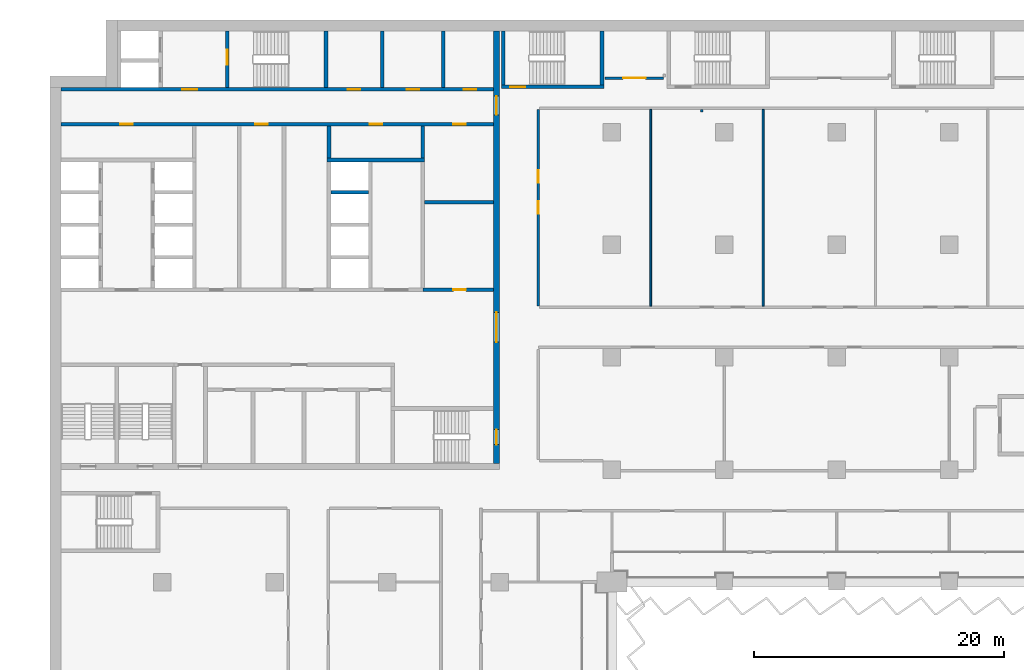
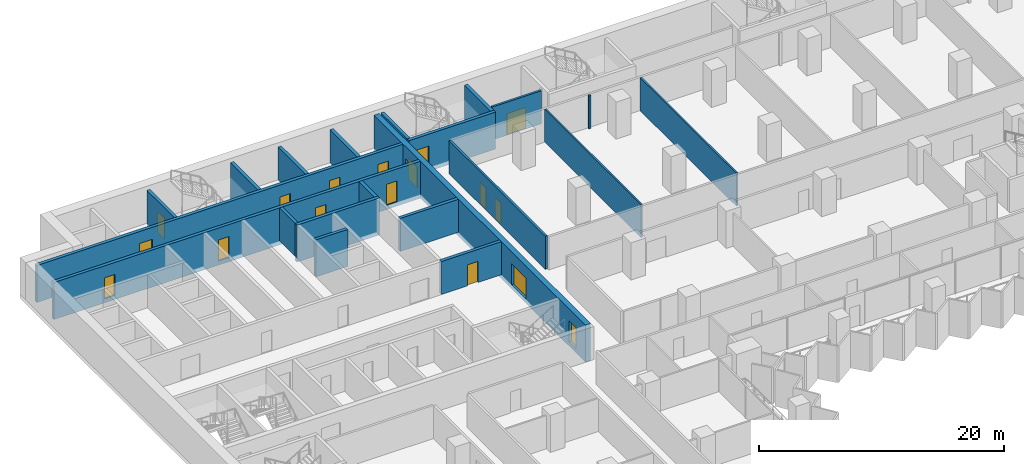
# One storey, part 15 of 29: 21 walls, 17 doors, 17 openings.
"""IFC4 building model written with IfcOpenShell, lengths in metres."""

from ifc_helpers import new_model, si_unit, direction, frame, frame_2d, origin, place, context, subcontext, project, spatial, rectangle, extrude, material, layer, layer_set, type_object, element, fill, save


model = new_model("IFC4")

# Units and contexts
model_context = context("Model", 3, precision=1e-05, world=origin(), true_north=direction((0.0, 1.0)))
body_context = subcontext(model_context, "Body", "Model", "MODEL_VIEW")
ifc_project = project(units=[si_unit("LENGTHUNIT", "METRE"), si_unit("AREAUNIT", "SQUARE_METRE"), si_unit("VOLUMEUNIT", "CUBIC_METRE"), si_unit("PLANEANGLEUNIT", "RADIAN"), si_unit("MASSUNIT", "GRAM", prefix="KILO")], contexts=[model_context])

# Site, building, storey
site_placement = place(None, origin())
site = spatial("IfcSite", under=ifc_project, at=site_placement, CompositionType="ELEMENT")
building_placement = place(site_placement, origin())
building = spatial("IfcBuilding", under=site, at=building_placement, Name="Hunhe Ridgeline Campus", CompositionType="ELEMENT")
storey_placement = place(building_placement, frame((0.0, 0.0, 54.300048828125)))
storey = spatial("IfcBuildingStorey", under=building, at=storey_placement, Name="L12", CompositionType="ELEMENT", Elevation=54.300048828125)

# Wall, opening, door
ifc_material_1 = material(Name="Masonry concrete blockwork", Category="masonry")
ifc_layer_1 = layer(ifc_material_1, 0.300048828125)
ifc_layer_set_1 = layer_set([ifc_layer_1], Name="Core room partition 300 concrete block")
wall_type_1 = type_object("IfcWallType", Name="Core room partition 300 concrete block", PredefinedType="PARTITIONING", material=ifc_layer_set_1)
wall_1_placement = place(storey_placement, frame((29.85009765625, 77.39990234375, 0.0), z_axis=(0.0, 0.0, 1.0), x_axis=(1.0, 0.0, 0.0)))
wall_1 = element("IfcWall", 1, at=wall_1_placement, inside=storey, type_object=wall_type_1, Name="L12 core partition 15", PredefinedType="PARTITIONING", context=body_context, shape_type="SweptSolid", body=[
    extrude(rectangle(XDim=5.64990234375, YDim=0.300048828125, at=frame_2d((2.824951171875, 0.0))), origin(), (0.0, 0.0, 1.0), 3.300048828125),
])
opening_1_placement = place(wall_1_placement, frame((2.449951171875, 0.0, 0.0)))
opening_1 = element("IfcOpeningElement", 2, at=opening_1_placement, cuts=wall_1, Name="Opening CD32", PredefinedType="OPENING", context=body_context, shape_type="SweptSolid", body=[
    extrude(rectangle(XDim=1.0, YDim=2.10009765625, at=frame_2d((0.5, 1.050048828125))), frame((0.0, 0.14990234375, 0.0), z_axis=(0.0, -1.0, 0.0), x_axis=(1.0, 0.0, 0.0)), (0.0, 0.0, 1.0), 0.300048828125),
])
ifc_material_2 = material(Name="Solid core timber door leaf", Category="wood")
door_type_1 = type_object("IfcDoorType", Name="Timber door 1000x2100", OperationType="SINGLE_SWING_LEFT", PredefinedType="DOOR", material=ifc_material_2)
door_1_placement = place(opening_1_placement, origin())
door_1 = element("IfcDoor", 3, at=door_1_placement, inside=storey, type_object=door_type_1, Name="L12 door ES0", OperationType="SINGLE_SWING_LEFT", OverallHeight=2.10009765625, OverallWidth=1.0, PredefinedType="DOOR", context=body_context, shape_type="SweptSolid", body=[
    extrude(rectangle(XDim=1.0, YDim=2.10009765625, at=frame_2d((0.5, 1.050048828125))), frame((0.0, 0.02490234375, 0.0), z_axis=(0.0, -1.0, 0.0), x_axis=(1.0, 0.0, 0.0)), (0.0, 0.0, 1.0), 0.050048828125),
])
fill(opening_1, door_1)

# Walls
wall_2_placement = place(storey_placement, frame((30.0, 84.39990234375, 0.0), z_axis=(0.0, 0.0, 1.0), x_axis=(1.0, 0.0, 0.0)))
element("IfcWall", 4, at=wall_2_placement, inside=storey, type_object=wall_type_1, Name="L12 core partition 22", PredefinedType="PARTITIONING", context=body_context, shape_type="SweptSolid", body=[
    extrude(rectangle(XDim=5.5, YDim=0.300048828125, at=frame_2d((2.75, 0.0))), origin(), (0.0, 0.0, 1.0), 3.300048828125),
])
wall_3_placement = place(storey_placement, frame((22.35009765625, 87.949951171875, 0.0), z_axis=(0.0, 0.0, 1.0), x_axis=(0.0, 1.0, 0.0)))
element("IfcWall", 5, at=wall_3_placement, inside=storey, type_object=wall_type_1, Name="L12 core partition 54", PredefinedType="PARTITIONING", context=body_context, shape_type="SweptSolid", body=[
    extrude(rectangle(XDim=2.550048828125, YDim=0.300048828125, at=frame_2d((1.27490234375, 0.0))), origin(), (0.0, 0.0, 1.0), 3.300048828125),
])
wall_4_placement = place(storey_placement, frame((26.60009765625, 93.60009765625, 0.0), z_axis=(0.0, 0.0, 1.0), x_axis=(0.0, 1.0, 0.0)))
element("IfcWall", 6, at=wall_4_placement, inside=storey, type_object=wall_type_1, Name="L12 core partition 58", PredefinedType="PARTITIONING", context=body_context, shape_type="SweptSolid", body=[
    extrude(rectangle(XDim=4.5, YDim=0.300048828125, at=frame_2d((2.25, 0.0))), origin(), (0.0, 0.0, 1.0), 3.300048828125),
])
wall_5_placement = place(storey_placement, frame((29.85009765625, 87.949951171875, 0.0), z_axis=(0.0, 0.0, 1.0), x_axis=(0.0, 1.0, 0.0)))
element("IfcWall", 7, at=wall_5_placement, inside=storey, type_object=wall_type_1, Name="L12 core partition 62", PredefinedType="PARTITIONING", context=body_context, shape_type="SweptSolid", body=[
    extrude(rectangle(XDim=2.550048828125, YDim=0.300048828125, at=frame_2d((1.27490234375, 0.0))), origin(), (0.0, 0.0, 1.0), 3.300048828125),
])
wall_6_placement = place(storey_placement, frame((31.5, 93.60009765625, 0.0), z_axis=(0.0, 0.0, 1.0), x_axis=(0.0, 1.0, 0.0)))
element("IfcWall", 8, at=wall_6_placement, inside=storey, type_object=wall_type_1, Name="L12 core partition 63", PredefinedType="PARTITIONING", context=body_context, shape_type="SweptSolid", body=[
    extrude(rectangle(XDim=4.5, YDim=0.300048828125, at=frame_2d((2.25, 0.0))), origin(), (0.0, 0.0, 1.0), 3.300048828125),
])

# Wall, openings, doors
ifc_material_3 = material(Name="Concrete C80", Category="concrete")
ifc_layer_2 = layer(ifc_material_3, 0.5)
ifc_layer_set_2 = layer_set([ifc_layer_2], Name="Core wall 500 reinforced concrete C80")
wall_type_2 = type_object("IfcWallType", Name="Core wall 500 reinforced concrete C80", PredefinedType="SOLIDWALL", material=ifc_layer_set_2)
wall_7_placement = place(storey_placement, frame((35.75, 63.5, -0.400146484375), z_axis=(0.0, 0.0, 1.0), x_axis=(0.0, 1.0, 0.0)))
wall_7 = element("IfcWall", 9, at=wall_7_placement, inside=storey, type_object=wall_type_2, Name="L12 core wall 64", PredefinedType="SOLIDWALL", context=body_context, shape_type="SweptSolid", body=[
    extrude(rectangle(XDim=34.60009765625, YDim=0.5, at=frame_2d((17.300048828125, 0.0))), origin(), (0.0, 0.0, 1.0), 3.7001953125),
])
opening_2_placement = place(wall_7_placement, frame((9.699951171875, 0.0, 0.39990234375)))
opening_2 = element("IfcOpeningElement", 10, at=opening_2_placement, cuts=wall_7, Name="Opening CD4", PredefinedType="OPENING", context=body_context, shape_type="SweptSolid", body=[
    extrude(rectangle(XDim=2.39990234375, YDim=2.10009765625, at=frame_2d((1.199951171875, 1.050048828125))), frame((0.0, 0.25, 0.0), z_axis=(0.0, -1.0, 0.0), x_axis=(1.0, 0.0, 0.0)), (0.0, 0.0, 1.0), 0.5),
])
opening_3_placement = place(wall_7_placement, frame((27.89990234375, 0.0, 0.39990234375)))
opening_3 = element("IfcOpeningElement", 11, at=opening_3_placement, cuts=wall_7, Name="Opening CD5", PredefinedType="OPENING", context=body_context, shape_type="SweptSolid", body=[
    extrude(rectangle(XDim=1.5, YDim=2.10009765625, at=frame_2d((0.75, 1.050048828125))), frame((0.0, 0.25, 0.0), z_axis=(0.0, -1.0, 0.0), x_axis=(1.0, 0.0, 0.0)), (0.0, 0.0, 1.0), 0.5),
])
opening_4_placement = place(wall_7_placement, frame((1.5, 0.0, 0.39990234375)))
opening_4 = element("IfcOpeningElement", 12, at=opening_4_placement, cuts=wall_7, Name="Opening CD15", PredefinedType="OPENING", context=body_context, shape_type="SweptSolid", body=[
    extrude(rectangle(XDim=1.199951171875, YDim=2.10009765625, at=frame_2d((0.60009765625, 1.050048828125))), frame((0.0, 0.25, 0.0), z_axis=(0.0, -1.0, 0.0), x_axis=(1.0, 0.0, 0.0)), (0.0, 0.0, 1.0), 0.5),
])
ifc_material_4 = material(Name="Anodised aluminium and glass", Category="aluminium")
door_type_2 = type_object("IfcDoorType", Name="Glazed double door 2400x2100", OperationType="DOUBLE_DOOR_SINGLE_SWING", PredefinedType="DOOR", material=ifc_material_4)
door_2_placement = place(opening_2_placement, frame((2.39990234375, 0.0, 0.0), z_axis=(0.0, 0.0, 1.0), x_axis=(-1.0, 0.0, 0.0)))
door_2 = element("IfcDoor", 13, at=door_2_placement, inside=storey, type_object=door_type_2, Name="L12 door HALL-FLOOR", OperationType="DOUBLE_DOOR_SINGLE_SWING", OverallHeight=2.10009765625, OverallWidth=2.39990234375, PredefinedType="DOOR", context=body_context, shape_type="SweptSolid", body=[
    extrude(rectangle(XDim=2.39990234375, YDim=2.10009765625, at=frame_2d((1.199951171875, 1.050048828125))), frame((0.0, 0.02490234375, 0.0), z_axis=(0.0, -1.0, 0.0), x_axis=(1.0, 0.0, 0.0)), (0.0, 0.0, 1.0), 0.050048828125),
])
fill(opening_2, door_2)
ifc_material_5 = material(Name="Hollow metal fire door leaf")
door_type_3 = type_object("IfcDoorType", Name="Stair door 1200x2100 FD60", OperationType="SINGLE_SWING_LEFT", PredefinedType="DOOR", material=ifc_material_5)
door_3_placement = place(opening_4_placement, frame((1.199951171875, 0.0, 0.0), z_axis=(0.0, 0.0, 1.0), x_axis=(-1.0, 0.0, 0.0)))
door_3 = element("IfcDoor", 14, at=door_3_placement, inside=storey, type_object=door_type_3, Name="L12 door S2-FLOOR", OperationType="SINGLE_SWING_RIGHT", OverallHeight=2.10009765625, OverallWidth=1.199951171875, PredefinedType="DOOR", context=body_context, shape_type="SweptSolid", body=[
    extrude(rectangle(XDim=1.199951171875, YDim=2.10009765625, at=frame_2d((0.60009765625, 1.050048828125))), frame((0.0, 0.02490234375, 0.0), z_axis=(0.0, -1.0, 0.0), x_axis=(1.0, 0.0, 0.0)), (0.0, 0.0, 1.0), 0.050048828125),
])
fill(opening_4, door_3)
door_type_4 = type_object("IfcDoorType", Name="Timber door 1500x2100", OperationType="SINGLE_SWING_LEFT", PredefinedType="DOOR", material=ifc_material_2)
door_4_placement = place(opening_3_placement, frame((1.5, 0.0, 0.0), z_axis=(0.0, 0.0, 1.0), x_axis=(-1.0, 0.0, 0.0)))
door_4 = element("IfcDoor", 15, at=door_4_placement, inside=storey, type_object=door_type_4, Name="L12 door C1-FLOOR", OperationType="SINGLE_SWING_RIGHT", OverallHeight=2.10009765625, OverallWidth=1.5, PredefinedType="DOOR", context=body_context, shape_type="SweptSolid", body=[
    extrude(rectangle(XDim=1.5, YDim=2.10009765625, at=frame_2d((0.75, 1.050048828125))), frame((0.0, 0.02490234375, 0.0), z_axis=(0.0, -1.0, 0.0), x_axis=(1.0, 0.0, 0.0)), (0.0, 0.0, 1.0), 0.050048828125),
])
fill(opening_3, door_4)

# Wall, opening, door
ifc_material_6 = material(Name="Gypsum board partition")
ifc_layer_3 = layer(ifc_material_6, 0.199951171875)
ifc_layer_set_3 = layer_set([ifc_layer_3], Name="Corridor partition 200 gypsum board on steel studs")
wall_type_3 = type_object("IfcWallType", Name="Corridor partition 200 gypsum board on steel studs", PredefinedType="PARTITIONING", material=ifc_layer_set_3)
wall_8_placement = place(storey_placement, frame((44.4541015625, 94.35009765625, 0.0), z_axis=(0.0, 0.0, 1.0), x_axis=(1.0, 0.0, 0.0)))
wall_8 = element("IfcWall", 16, at=wall_8_placement, inside=storey, type_object=wall_type_3, Name="F-L12-wall-052", PredefinedType="PARTITIONING", context=body_context, shape_type="SweptSolid", body=[
    extrude(rectangle(XDim=4.6708984375, YDim=0.199951171875, at=frame_2d((2.33544921875, 0.0))), origin(), (0.0, 0.0, 1.0), 3.300048828125),
])
opening_5_placement = place(wall_8_placement, frame((1.435546875, 0.0, 0.0)))
opening_5 = element("IfcOpeningElement", 17, at=opening_5_placement, cuts=wall_8, Name="Opening RD2-047", PredefinedType="OPENING", context=body_context, shape_type="SweptSolid", body=[
    extrude(rectangle(XDim=1.800048828125, YDim=2.10009765625, at=frame_2d((0.89990234375, 1.050048828125))), frame((0.0, 0.10009765625, 0.0), z_axis=(0.0, -1.0, 0.0), x_axis=(1.0, 0.0, 0.0)), (0.0, 0.0, 1.0), 0.199951171875),
])
ifc_material_7 = material(Name="Timber door leaf", Category="wood")
door_type_5 = type_object("IfcDoorType", Name="Double fire door 1800x2100 timber FD60", OperationType="DOUBLE_DOOR_SINGLE_SWING", PredefinedType="DOOR", material=ifc_material_7)
door_5_placement = place(opening_5_placement, origin())
door_5 = element("IfcDoor", 18, at=door_5_placement, inside=storey, type_object=door_type_5, Name="F-L12-door-047", OperationType="DOUBLE_DOOR_SINGLE_SWING", OverallHeight=2.10009765625, OverallWidth=1.800048828125, PredefinedType="DOOR", context=body_context, shape_type="SweptSolid", body=[
    extrude(rectangle(XDim=1.800048828125, YDim=2.10009765625, at=frame_2d((0.89990234375, 1.050048828125))), frame((0.0, 0.02490234375, 0.0), z_axis=(0.0, -1.0, 0.0), x_axis=(1.0, 0.0, 0.0)), (0.0, 0.0, 1.0), 0.050048828125),
])
fill(opening_5, door_5)

# Wall, openings, doors
wall_9_placement = place(storey_placement, frame((39.10009765625, 91.85009765625, 0.0), z_axis=(0.0, 0.0, 1.0), x_axis=(0.0, -1.0, 0.0)))
wall_9 = element("IfcWall", 19, at=wall_9_placement, inside=storey, type_object=wall_type_3, Name="F-L12-wall-070", PredefinedType="PARTITIONING", context=body_context, shape_type="SweptSolid", body=[
    extrude(rectangle(XDim=15.75, YDim=0.199951171875, at=frame_2d((7.875, 0.0))), origin(), (0.0, 0.0, 1.0), 3.300048828125),
])
opening_6_placement = place(wall_9_placement, frame((7.375, 0.0, 0.0)))
opening_6 = element("IfcOpeningElement", 20, at=opening_6_placement, cuts=wall_9, Name="Opening RD1-045", PredefinedType="OPENING", context=body_context, shape_type="SweptSolid", body=[
    extrude(rectangle(XDim=1.0, YDim=2.10009765625, at=frame_2d((0.5, 1.050048828125))), frame((0.0, 0.10009765625, 0.0), z_axis=(0.0, -1.0, 0.0), x_axis=(1.0, 0.0, 0.0)), (0.0, 0.0, 1.0), 0.199951171875),
])
opening_7_placement = place(wall_9_placement, frame((4.875, 0.0, 0.0)))
opening_7 = element("IfcOpeningElement", 21, at=opening_7_placement, cuts=wall_9, Name="Opening RD1-046", PredefinedType="OPENING", context=body_context, shape_type="SweptSolid", body=[
    extrude(rectangle(XDim=1.0, YDim=2.10009765625, at=frame_2d((0.5, 1.050048828125))), frame((0.0, 0.10009765625, 0.0), z_axis=(0.0, -1.0, 0.0), x_axis=(1.0, 0.0, 0.0)), (0.0, 0.0, 1.0), 0.199951171875),
])
door_type_6 = type_object("IfcDoorType", Name="Single fire door 1000x2100 timber FD60", OperationType="NOTDEFINED", PredefinedType="DOOR", material=ifc_material_7)
door_6_placement = place(opening_6_placement, frame((1.0, 0.0, 0.0), z_axis=(0.0, 0.0, 1.0), x_axis=(-1.0, 0.0, 0.0)))
door_6 = element("IfcDoor", 22, at=door_6_placement, inside=storey, type_object=door_type_6, Name="F-L12-door-045", OperationType="SINGLE_SWING_LEFT", OverallHeight=2.10009765625, OverallWidth=1.0, PredefinedType="DOOR", context=body_context, shape_type="SweptSolid", body=[
    extrude(rectangle(XDim=1.0, YDim=2.10009765625, at=frame_2d((0.5, 1.050048828125))), frame((0.0, 0.02490234375, 0.0), z_axis=(0.0, -1.0, 0.0), x_axis=(1.0, 0.0, 0.0)), (0.0, 0.0, 1.0), 0.050048828125),
])
fill(opening_6, door_6)
door_7_placement = place(opening_7_placement, frame((1.0, 0.0, 0.0), z_axis=(0.0, 0.0, 1.0), x_axis=(-1.0, 0.0, 0.0)))
door_7 = element("IfcDoor", 23, at=door_7_placement, inside=storey, type_object=door_type_6, Name="F-L12-door-046", OperationType="SINGLE_SWING_RIGHT", OverallHeight=2.10009765625, OverallWidth=1.0, PredefinedType="DOOR", context=body_context, shape_type="SweptSolid", body=[
    extrude(rectangle(XDim=1.0, YDim=2.10009765625, at=frame_2d((0.5, 1.050048828125))), frame((0.0, 0.02490234375, 0.0), z_axis=(0.0, -1.0, 0.0), x_axis=(1.0, 0.0, 0.0)), (0.0, 0.0, 1.0), 0.050048828125),
])
fill(opening_7, door_7)

# Wall
wall_10_placement = place(storey_placement, frame((52.199951171875, 91.85009765625, 0.0), z_axis=(0.0, 0.0, 1.0), x_axis=(0.0, -1.0, 0.0)))
element("IfcWall", 24, at=wall_10_placement, inside=storey, type_object=wall_type_3, Name="F-L12-wall-074", PredefinedType="PARTITIONING", context=body_context, shape_type="SweptSolid", body=[
    extrude(rectangle(XDim=0.2001953125, YDim=0.199951171875, at=frame_2d((0.10009765625, 0.0))), origin(), (0.0, 0.0, 1.0), 3.300048828125),
])

# Wall, openings, doors
ifc_layer_4 = layer(ifc_material_3, 0.300048828125)
ifc_layer_set_4 = layer_set([ifc_layer_4], Name="Lobby wall 300 reinforced concrete C80")
wall_type_4 = type_object("IfcWallType", Name="Lobby wall 300 reinforced concrete C80", PredefinedType="SOLIDWALL", material=ifc_layer_set_4)
wall_11_placement = place(storey_placement, frame((0.89990234375, 90.64990234375, -0.400146484375), z_axis=(0.0, 0.0, 1.0), x_axis=(1.0, 0.0, 0.0)))
wall_11 = element("IfcWall", 25, at=wall_11_placement, inside=storey, type_object=wall_type_4, Name="L12 core wall 28", PredefinedType="SOLIDWALL", context=body_context, shape_type="SweptSolid", body=[
    extrude(rectangle(XDim=34.60009765625, YDim=0.300048828125, at=frame_2d((17.300048828125, 0.0))), origin(), (0.0, 0.0, 1.0), 3.7001953125),
])
opening_8_placement = place(wall_11_placement, frame((4.75, 0.0, 0.39990234375)))
opening_8 = element("IfcOpeningElement", 26, at=opening_8_placement, cuts=wall_11, Name="Opening CD26", PredefinedType="OPENING", context=body_context, shape_type="SweptSolid", body=[
    extrude(rectangle(XDim=1.0, YDim=2.10009765625, at=frame_2d((0.5, 1.050048828125))), frame((0.0, 0.14990234375, 0.0), z_axis=(0.0, -1.0, 0.0), x_axis=(1.0, 0.0, 0.0)), (0.0, 0.0, 1.0), 0.300048828125),
])
opening_9_placement = place(wall_11_placement, frame((24.699951171875, 0.0, 0.39990234375)))
opening_9 = element("IfcOpeningElement", 27, at=opening_9_placement, cuts=wall_11, Name="Opening CD27", PredefinedType="OPENING", context=body_context, shape_type="SweptSolid", body=[
    extrude(rectangle(XDim=1.0, YDim=2.10009765625, at=frame_2d((0.5, 1.050048828125))), frame((0.0, 0.14990234375, 0.0), z_axis=(0.0, -1.0, 0.0), x_axis=(1.0, 0.0, 0.0)), (0.0, 0.0, 1.0), 0.300048828125),
])
opening_10_placement = place(wall_11_placement, frame((15.550048828125, 0.0, 0.39990234375)))
opening_10 = element("IfcOpeningElement", 28, at=opening_10_placement, cuts=wall_11, Name="Opening CD29", PredefinedType="OPENING", context=body_context, shape_type="SweptSolid", body=[
    extrude(rectangle(XDim=1.0, YDim=2.10009765625, at=frame_2d((0.5, 1.050048828125))), frame((0.0, 0.14990234375, 0.0), z_axis=(0.0, -1.0, 0.0), x_axis=(1.0, 0.0, 0.0)), (0.0, 0.0, 1.0), 0.300048828125),
])
opening_11_placement = place(wall_11_placement, frame((31.39990234375, 0.0, 0.39990234375)))
opening_11 = element("IfcOpeningElement", 29, at=opening_11_placement, cuts=wall_11, Name="Opening CD33", PredefinedType="OPENING", context=body_context, shape_type="SweptSolid", body=[
    extrude(rectangle(XDim=1.0, YDim=2.10009765625, at=frame_2d((0.5, 1.050048828125))), frame((0.0, 0.14990234375, 0.0), z_axis=(0.0, -1.0, 0.0), x_axis=(1.0, 0.0, 0.0)), (0.0, 0.0, 1.0), 0.300048828125),
])
door_8_placement = place(opening_8_placement, frame((1.0, 0.0, 0.0), z_axis=(0.0, 0.0, 1.0), x_axis=(-1.0, 0.0, 0.0)))
door_8 = element("IfcDoor", 30, at=door_8_placement, inside=storey, type_object=door_type_1, Name="L12 door NR-0", OperationType="SINGLE_SWING_RIGHT", OverallHeight=2.10009765625, OverallWidth=1.0, PredefinedType="DOOR", context=body_context, shape_type="SweptSolid", body=[
    extrude(rectangle(XDim=1.0, YDim=2.10009765625, at=frame_2d((0.5, 1.050048828125))), frame((0.0, 0.02490234375, 0.0), z_axis=(0.0, -1.0, 0.0), x_axis=(1.0, 0.0, 0.0)), (0.0, 0.0, 1.0), 0.050048828125),
])
fill(opening_8, door_8)
door_9_placement = place(opening_9_placement, frame((1.0, 0.0, 0.0), z_axis=(0.0, 0.0, 1.0), x_axis=(-1.0, 0.0, 0.0)))
door_9 = element("IfcDoor", 31, at=door_9_placement, inside=storey, type_object=door_type_1, Name="L12 door NR-1", OperationType="SINGLE_SWING_LEFT", OverallHeight=2.10009765625, OverallWidth=1.0, PredefinedType="DOOR", context=body_context, shape_type="SweptSolid", body=[
    extrude(rectangle(XDim=1.0, YDim=2.10009765625, at=frame_2d((0.5, 1.050048828125))), frame((0.0, 0.02490234375, 0.0), z_axis=(0.0, -1.0, 0.0), x_axis=(1.0, 0.0, 0.0)), (0.0, 0.0, 1.0), 0.050048828125),
])
fill(opening_9, door_9)
door_10_placement = place(opening_10_placement, frame((1.0, 0.0, 0.0), z_axis=(0.0, 0.0, 1.0), x_axis=(-1.0, 0.0, 0.0)))
door_10 = element("IfcDoor", 32, at=door_10_placement, inside=storey, type_object=door_type_1, Name="L12 door VD-HR1", OperationType="SINGLE_SWING_LEFT", OverallHeight=2.10009765625, OverallWidth=1.0, PredefinedType="DOOR", context=body_context, shape_type="SweptSolid", body=[
    extrude(rectangle(XDim=1.0, YDim=2.10009765625, at=frame_2d((0.5, 1.050048828125))), frame((0.0, 0.02490234375, 0.0), z_axis=(0.0, -1.0, 0.0), x_axis=(1.0, 0.0, 0.0)), (0.0, 0.0, 1.0), 0.050048828125),
])
fill(opening_10, door_10)
door_11_placement = place(opening_11_placement, frame((1.0, 0.0, 0.0), z_axis=(0.0, 0.0, 1.0), x_axis=(-1.0, 0.0, 0.0)))
door_11 = element("IfcDoor", 33, at=door_11_placement, inside=storey, type_object=door_type_1, Name="L12 door ES1", OperationType="SINGLE_SWING_LEFT", OverallHeight=2.10009765625, OverallWidth=1.0, PredefinedType="DOOR", context=body_context, shape_type="SweptSolid", body=[
    extrude(rectangle(XDim=1.0, YDim=2.10009765625, at=frame_2d((0.5, 1.050048828125))), frame((0.0, 0.02490234375, 0.0), z_axis=(0.0, -1.0, 0.0), x_axis=(1.0, 0.0, 0.0)), (0.0, 0.0, 1.0), 0.050048828125),
])
fill(opening_11, door_11)

# Walls
ifc_layer_5 = layer(ifc_material_6, 0.14990234375)
ifc_layer_set_5 = layer_set([ifc_layer_5], Name="Room partition 150 gypsum board on steel studs")
wall_type_5 = type_object("IfcWallType", Name="Room partition 150 gypsum board on steel studs", PredefinedType="PARTITIONING", material=ifc_layer_set_5)
for number, where, z_axis, x_axis, name in (
    (34, (48.10009765625, 91.85009765625, 0.0), (0.0, 0.0, 1.0), (0.0, -1.0, 0.0), "F-L12-wall-072"),
    (35, (57.10009765625, 91.85009765625, 0.0), (0.0, 0.0, 1.0), (0.0, -1.0, 0.0), "F-L12-wall-077"),
):
    element("IfcWall", number, at=place(storey_placement, frame(where, z_axis=z_axis, x_axis=x_axis)), inside=storey, type_object=wall_type_5, Name=name, PredefinedType="PARTITIONING", context=body_context, shape_type="SweptSolid", body=[
        extrude(rectangle(XDim=15.75, YDim=0.14990234375, at=frame_2d((7.875, 0.0))), origin(), (0.0, 0.0, 1.0), 3.300048828125),
    ])
ifc_layer_6 = layer(ifc_material_3, 0.300048828125)
ifc_layer_set_6 = layer_set([ifc_layer_6], Name="Shaft wall 300 reinforced concrete C80")
wall_type_6 = type_object("IfcWallType", Name="Shaft wall 300 reinforced concrete C80", PredefinedType="SOLIDWALL", material=ifc_layer_set_6)
wall_12_placement = place(storey_placement, frame((22.5, 85.199951171875, -0.400146484375), z_axis=(0.0, 0.0, 1.0), x_axis=(1.0, 0.0, 0.0)))
element("IfcWall", 36, at=wall_12_placement, inside=storey, type_object=wall_type_6, Name="L12 core wall 25", PredefinedType="SOLIDWALL", context=body_context, shape_type="SweptSolid", body=[
    extrude(rectangle(XDim=3.0, YDim=0.300048828125, at=frame_2d((1.5, 0.0))), origin(), (0.0, 0.0, 1.0), 3.7001953125),
])
wall_13_placement = place(storey_placement, frame((22.199951171875, 87.800048828125, -0.400146484375), z_axis=(0.0, 0.0, 1.0), x_axis=(1.0, 0.0, 0.0)))
element("IfcWall", 37, at=wall_13_placement, inside=storey, type_object=wall_type_6, Name="L12 core wall 27", PredefinedType="SOLIDWALL", context=body_context, shape_type="SweptSolid", body=[
    extrude(rectangle(XDim=7.800048828125, YDim=0.300048828125, at=frame_2d((3.89990234375, 0.0))), origin(), (0.0, 0.0, 1.0), 3.7001953125),
])

# Wall, openings, doors
wall_14_placement = place(storey_placement, frame((0.89990234375, 93.449951171875, -0.400146484375), z_axis=(0.0, 0.0, 1.0), x_axis=(1.0, 0.0, 0.0)))
wall_14 = element("IfcWall", 38, at=wall_14_placement, inside=storey, type_object=wall_type_6, Name="L12 core wall 29", PredefinedType="SOLIDWALL", context=body_context, shape_type="SweptSolid", body=[
    extrude(rectangle(XDim=34.60009765625, YDim=0.300048828125, at=frame_2d((17.300048828125, 0.0))), origin(), (0.0, 0.0, 1.0), 3.7001953125),
])
opening_12_placement = place(wall_14_placement, frame((9.699951171875, 0.0, 0.39990234375)))
opening_12 = element("IfcOpeningElement", 39, at=opening_12_placement, cuts=wall_14, Name="Opening CD3", PredefinedType="OPENING", context=body_context, shape_type="SweptSolid", body=[
    extrude(rectangle(XDim=1.199951171875, YDim=2.10009765625, at=frame_2d((0.60009765625, 1.050048828125))), frame((0.0, 0.14990234375, 0.0), z_axis=(0.0, -1.0, 0.0), x_axis=(1.0, 0.0, 0.0)), (0.0, 0.0, 1.0), 0.300048828125),
])
opening_13_placement = place(wall_14_placement, frame((22.949951171875, 0.0, 0.39990234375)))
opening_13 = element("IfcOpeningElement", 40, at=opening_13_placement, cuts=wall_14, Name="Opening CD34", PredefinedType="OPENING", context=body_context, shape_type="SweptSolid", body=[
    extrude(rectangle(XDim=1.0, YDim=2.10009765625, at=frame_2d((0.5, 1.050048828125))), frame((0.0, 0.14990234375, 0.0), z_axis=(0.0, -1.0, 0.0), x_axis=(1.0, 0.0, 0.0)), (0.0, 0.0, 1.0), 0.300048828125),
])
opening_14_placement = place(wall_14_placement, frame((27.64990234375, 0.0, 0.39990234375)))
opening_14 = element("IfcOpeningElement", 41, at=opening_14_placement, cuts=wall_14, Name="Opening CD35", PredefinedType="OPENING", context=body_context, shape_type="SweptSolid", body=[
    extrude(rectangle(XDim=1.0, YDim=2.10009765625, at=frame_2d((0.5, 1.050048828125))), frame((0.0, 0.14990234375, 0.0), z_axis=(0.0, -1.0, 0.0), x_axis=(1.0, 0.0, 0.0)), (0.0, 0.0, 1.0), 0.300048828125),
])
opening_15_placement = place(wall_14_placement, frame((32.22509765625, 0.0, 0.39990234375)))
opening_15 = element("IfcOpeningElement", 42, at=opening_15_placement, cuts=wall_14, Name="Opening CD36", PredefinedType="OPENING", context=body_context, shape_type="SweptSolid", body=[
    extrude(rectangle(XDim=1.0, YDim=2.10009765625, at=frame_2d((0.5, 1.050048828125))), frame((0.0, 0.14990234375, 0.0), z_axis=(0.0, -1.0, 0.0), x_axis=(1.0, 0.0, 0.0)), (0.0, 0.0, 1.0), 0.300048828125),
])
door_type_7 = type_object("IfcDoorType", Name="Lobby door 1200x2100 FD60", OperationType="SINGLE_SWING_LEFT", PredefinedType="DOOR", material=ifc_material_5)
door_12_placement = place(opening_12_placement, frame((1.199951171875, 0.0, 0.0), z_axis=(0.0, 0.0, 1.0), x_axis=(-1.0, 0.0, 0.0)))
door_12 = element("IfcDoor", 43, at=door_12_placement, inside=storey, type_object=door_type_7, Name="L12 door FF-C1", OperationType="SINGLE_SWING_LEFT", OverallHeight=2.10009765625, OverallWidth=1.199951171875, PredefinedType="DOOR", context=body_context, shape_type="SweptSolid", body=[
    extrude(rectangle(XDim=1.199951171875, YDim=2.10009765625, at=frame_2d((0.60009765625, 1.050048828125))), frame((0.0, 0.02490234375, 0.0), z_axis=(0.0, -1.0, 0.0), x_axis=(1.0, 0.0, 0.0)), (0.0, 0.0, 1.0), 0.050048828125),
])
fill(opening_12, door_12)
door_13_placement = place(opening_13_placement, origin())
door_13 = element("IfcDoor", 44, at=door_13_placement, inside=storey, type_object=door_type_1, Name="L12 door NB0", OperationType="SINGLE_SWING_LEFT", OverallHeight=2.10009765625, OverallWidth=1.0, PredefinedType="DOOR", context=body_context, shape_type="SweptSolid", body=[
    extrude(rectangle(XDim=1.0, YDim=2.10009765625, at=frame_2d((0.5, 1.050048828125))), frame((0.0, 0.02490234375, 0.0), z_axis=(0.0, -1.0, 0.0), x_axis=(1.0, 0.0, 0.0)), (0.0, 0.0, 1.0), 0.050048828125),
])
fill(opening_13, door_13)
door_14_placement = place(opening_14_placement, origin())
door_14 = element("IfcDoor", 45, at=door_14_placement, inside=storey, type_object=door_type_1, Name="L12 door NB1", OperationType="SINGLE_SWING_RIGHT", OverallHeight=2.10009765625, OverallWidth=1.0, PredefinedType="DOOR", context=body_context, shape_type="SweptSolid", body=[
    extrude(rectangle(XDim=1.0, YDim=2.10009765625, at=frame_2d((0.5, 1.050048828125))), frame((0.0, 0.02490234375, 0.0), z_axis=(0.0, -1.0, 0.0), x_axis=(1.0, 0.0, 0.0)), (0.0, 0.0, 1.0), 0.050048828125),
])
fill(opening_14, door_14)
door_15_placement = place(opening_15_placement, origin())
door_15 = element("IfcDoor", 46, at=door_15_placement, inside=storey, type_object=door_type_1, Name="L12 door NB2", OperationType="SINGLE_SWING_LEFT", OverallHeight=2.10009765625, OverallWidth=1.0, PredefinedType="DOOR", context=body_context, shape_type="SweptSolid", body=[
    extrude(rectangle(XDim=1.0, YDim=2.10009765625, at=frame_2d((0.5, 1.050048828125))), frame((0.0, 0.02490234375, 0.0), z_axis=(0.0, -1.0, 0.0), x_axis=(1.0, 0.0, 0.0)), (0.0, 0.0, 1.0), 0.050048828125),
])
fill(opening_15, door_15)

# Wall, opening, door
ifc_layer_7 = layer(ifc_material_3, 0.300048828125)
ifc_layer_set_7 = layer_set([ifc_layer_7], Name="Stair wall 300 reinforced concrete C80")
wall_type_7 = type_object("IfcWallType", Name="Stair wall 300 reinforced concrete C80", PredefinedType="SOLIDWALL", material=ifc_layer_set_7)
wall_15_placement = place(storey_placement, frame((36.14990234375, 93.64990234375, -0.400146484375), z_axis=(0.0, 0.0, 1.0), x_axis=(1.0, 0.0, 0.0)))
wall_15 = element("IfcWall", 47, at=wall_15_placement, inside=storey, type_object=wall_type_7, Name="L12 core wall 30", PredefinedType="SOLIDWALL", context=body_context, shape_type="SweptSolid", body=[
    extrude(rectangle(XDim=8.2001953125, YDim=0.300048828125, at=frame_2d((4.10009765625, 0.0))), origin(), (0.0, 0.0, 1.0), 3.7001953125),
])
opening_16_placement = place(wall_15_placement, frame((0.699951171875, 0.0, 0.39990234375)))
opening_16 = element("IfcOpeningElement", 48, at=opening_16_placement, cuts=wall_15, Name="Opening CD17", PredefinedType="OPENING", context=body_context, shape_type="SweptSolid", body=[
    extrude(rectangle(XDim=1.199951171875, YDim=2.10009765625, at=frame_2d((0.60009765625, 1.050048828125))), frame((0.0, 0.14990234375, 0.0), z_axis=(0.0, -1.0, 0.0), x_axis=(1.0, 0.0, 0.0)), (0.0, 0.0, 1.0), 0.300048828125),
])
door_16_placement = place(opening_16_placement, frame((1.199951171875, 0.0, 0.0), z_axis=(0.0, 0.0, 1.0), x_axis=(-1.0, 0.0, 0.0)))
door_16 = element("IfcDoor", 49, at=door_16_placement, inside=storey, type_object=door_type_3, Name="L12 door E1", OperationType="SINGLE_SWING_RIGHT", OverallHeight=2.10009765625, OverallWidth=1.199951171875, PredefinedType="DOOR", context=body_context, shape_type="SweptSolid", body=[
    extrude(rectangle(XDim=1.199951171875, YDim=2.10009765625, at=frame_2d((0.60009765625, 1.050048828125))), frame((0.0, 0.02490234375, 0.0), z_axis=(0.0, -1.0, 0.0), x_axis=(1.0, 0.0, 0.0)), (0.0, 0.0, 1.0), 0.050048828125),
])
fill(opening_16, door_16)

wall_16_placement = place(storey_placement, frame((14.199951171875, 93.60009765625, -0.400146484375), z_axis=(0.0, 0.0, 1.0), x_axis=(0.0, 1.0, 0.0)))
wall_16 = element("IfcWall", 50, at=wall_16_placement, inside=storey, type_object=wall_type_7, Name="L12 core wall 46", PredefinedType="SOLIDWALL", context=body_context, shape_type="SweptSolid", body=[
    extrude(rectangle(XDim=4.5, YDim=0.300048828125, at=frame_2d((2.25, 0.0))), origin(), (0.0, 0.0, 1.0), 3.7001953125),
])
opening_17_placement = place(wall_16_placement, frame((1.800048828125, 0.0, 0.39990234375)))
opening_17 = element("IfcOpeningElement", 51, at=opening_17_placement, cuts=wall_16, Name="Opening CD16", PredefinedType="OPENING", context=body_context, shape_type="SweptSolid", body=[
    extrude(rectangle(XDim=1.199951171875, YDim=2.10009765625, at=frame_2d((0.60009765625, 1.050048828125))), frame((0.0, 0.14990234375, 0.0), z_axis=(0.0, -1.0, 0.0), x_axis=(1.0, 0.0, 0.0)), (0.0, 0.0, 1.0), 0.300048828125),
])
door_17_placement = place(opening_17_placement, origin())
door_17 = element("IfcDoor", 52, at=door_17_placement, inside=storey, type_object=door_type_3, Name="L12 door S1-FF", OperationType="SINGLE_SWING_LEFT", OverallHeight=2.10009765625, OverallWidth=1.199951171875, PredefinedType="DOOR", context=body_context, shape_type="SweptSolid", body=[
    extrude(rectangle(XDim=1.199951171875, YDim=2.10009765625, at=frame_2d((0.60009765625, 1.050048828125))), frame((0.0, 0.02490234375, 0.0), z_axis=(0.0, -1.0, 0.0), x_axis=(1.0, 0.0, 0.0)), (0.0, 0.0, 1.0), 0.050048828125),
])
fill(opening_17, door_17)

# Walls
wall_17_placement = place(storey_placement, frame((22.10009765625, 93.60009765625, -0.400146484375), z_axis=(0.0, 0.0, 1.0), x_axis=(0.0, 1.0, 0.0)))
element("IfcWall", 53, at=wall_17_placement, inside=storey, type_object=wall_type_7, Name="L12 core wall 52", PredefinedType="SOLIDWALL", context=body_context, shape_type="SweptSolid", body=[
    extrude(rectangle(XDim=4.5, YDim=0.300048828125, at=frame_2d((2.25, 0.0))), origin(), (0.0, 0.0, 1.0), 3.7001953125),
])
for number, where, z_axis, x_axis, name in (
    (54, (36.300048828125, 93.800048828125, -0.400146484375), (0.0, 0.0, 1.0), (0.0, 1.0, 0.0), "L12 core wall 65"),
    (55, (44.199951171875, 93.800048828125, -0.400146484375), (0.0, 0.0, 1.0), (0.0, 1.0, 0.0), "L12 core wall 66"),
):
    element("IfcWall", number, at=place(storey_placement, frame(where, z_axis=z_axis, x_axis=x_axis)), inside=storey, type_object=wall_type_7, Name=name, PredefinedType="SOLIDWALL", context=body_context, shape_type="SweptSolid", body=[
        extrude(rectangle(XDim=4.300048828125, YDim=0.300048828125, at=frame_2d((2.14990234375, 0.0))), origin(), (0.0, 0.0, 1.0), 3.7001953125),
    ])

save(model, "model.ifc")
